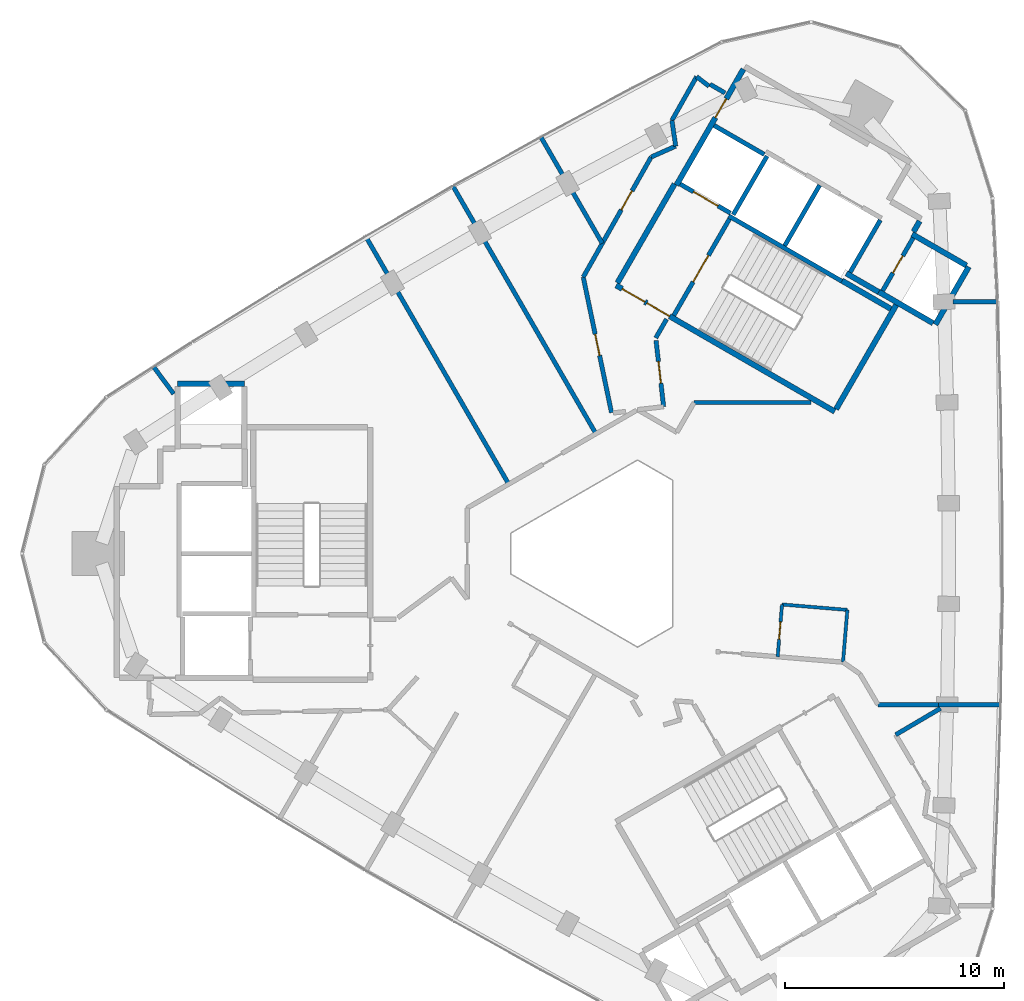
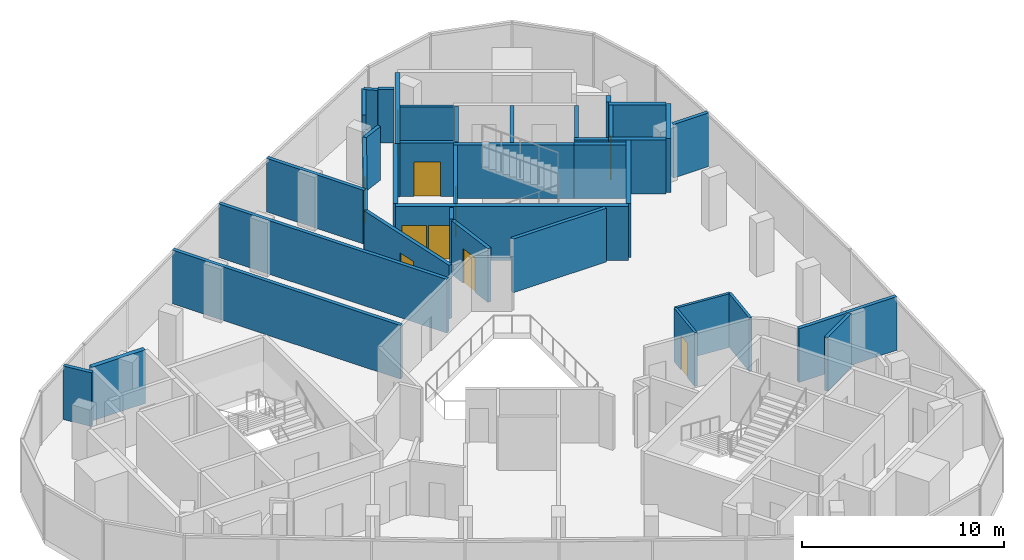
# One storey, part 8 of 10: 40 walls, 10 doors, 10 openings.
"""IFC4 building model written with IfcOpenShell, lengths in metres."""

from ifc_helpers import new_model, si_unit, direction, frame, frame_2d, origin, place, context, subcontext, project, spatial, rectangle, extrude, material, layer, layer_set, type_object, element, fill, save


model = new_model("IFC4")

# Units and contexts
model_context = context("Model", 3, precision=1e-05, world=origin(), true_north=direction((0.0, 1.0)))
body_context = subcontext(model_context, "Body", "Model", "MODEL_VIEW")
ifc_project = project(units=[si_unit("LENGTHUNIT", "METRE"), si_unit("AREAUNIT", "SQUARE_METRE"), si_unit("VOLUMEUNIT", "CUBIC_METRE"), si_unit("PLANEANGLEUNIT", "RADIAN"), si_unit("MASSUNIT", "GRAM", prefix="KILO")], contexts=[model_context])

# Site, building, storey
site_placement = place(None, origin())
site = spatial("IfcSite", under=ifc_project, at=site_placement, CompositionType="ELEMENT")
building_placement = place(site_placement, origin())
building = spatial("IfcBuilding", under=site, at=building_placement, Name="Tamra Quay Hotel Tower", CompositionType="ELEMENT")
storey_placement = place(building_placement, frame((0.0, 0.0, 276.60009765625)))
storey = spatial("IfcBuildingStorey", under=building, at=storey_placement, Name="L70", CompositionType="ELEMENT", Elevation=276.60009765625)

# Wall
ifc_material_1 = material(Name="Concrete M70", Category="concrete")
ifc_layer_1 = layer(ifc_material_1, 0.199951171875)
ifc_layer_set_1 = layer_set([ifc_layer_1], Name="Concrete M70 core wall 200")
wall_type_1 = type_object("IfcWallType", Name="Concrete M70 core wall 200", PredefinedType="SHEAR", material=ifc_layer_set_1)
wall_1_placement = place(storey_placement, frame((10.7431640625, 12.4599609375, 0.0), z_axis=(0.0, 0.0, 1.0), x_axis=(-0.866018848283, 0.500011354289, 0.0)))
element("IfcWall", 1, at=wall_1_placement, inside=storey, type_object=wall_type_1, Name="CW2", PredefinedType="SHEAR", context=body_context, shape_type="SweptSolid", body=[
    extrude(rectangle(XDim=5.973876953125, YDim=0.199951171875, at=frame_2d((2.98681640625, 0.0))), origin(), (0.0, 0.0, 1.0), 3.25),
])

# Wall, opening, door
wall_2_placement = place(storey_placement, frame((3.056640625, 10.89453125, 0.0), z_axis=(0.0, 0.0, 1.0), x_axis=(0.500027839223, 0.866009330205, 0.0)))
wall_2 = element("IfcWall", 2, at=wall_2_placement, inside=storey, type_object=wall_type_1, Name="CW2", PredefinedType="SHEAR", context=body_context, shape_type="SweptSolid", body=[
    extrude(rectangle(XDim=5.097900390625, YDim=0.199951171875, at=frame_2d((2.548828125, 0.0))), origin(), (0.0, 0.0, 1.0), 3.25),
])
opening_1_placement = place(wall_2_placement, frame((1.77392578125, 0.0, 0.0)))
opening_1 = element("IfcOpeningElement", 3, at=opening_1_placement, cuts=wall_2, Name="Opening FD2", PredefinedType="OPENING", context=body_context, shape_type="SweptSolid", body=[
    extrude(rectangle(XDim=1.39990234375, YDim=2.10009765625, at=frame_2d((0.699951171875, 1.050048828125))), frame((0.0, 0.10986328125, 0.0), z_axis=(0.0, -1.0, 0.0), x_axis=(1.0, 0.0, 0.0)), (0.0, 0.0, 1.0), 0.219970703125),
])
ifc_material_2 = material(Name="Core door FD2 1400x2100 RH")
door_type_1 = type_object("IfcDoorType", Name="Core door FD2 1400x2100 RH", OperationType="NOTDEFINED", PredefinedType="DOOR", material=ifc_material_2)
door_1_placement = place(opening_1_placement, origin())
door_1 = element("IfcDoor", 4, at=door_1_placement, inside=storey, type_object=door_type_1, Name="FD2", OperationType="SINGLE_SWING_RIGHT", OverallHeight=2.10009765625, OverallWidth=1.39990234375, PredefinedType="DOOR", context=body_context, shape_type="SweptSolid", body=[
    extrude(rectangle(XDim=1.39990234375, YDim=2.10009765625, at=frame_2d((0.699951171875, 1.050048828125))), frame((0.0, 0.02490234375, 0.0), z_axis=(0.0, -1.0, 0.0), x_axis=(1.0, 0.0, 0.0)), (0.0, 0.0, 1.0), 0.050048828125),
])
fill(opening_1, door_1)

# Wall
wall_3_placement = place(storey_placement, frame((8.131591796875, 14.08447265625, 0.0), z_axis=(0.0, 0.0, 1.0), x_axis=(0.500030834389, 0.86600760081, 0.0)))
element("IfcWall", 5, at=wall_3_placement, inside=storey, type_object=wall_type_1, Name="CW2", PredefinedType="SHEAR", context=body_context, shape_type="SweptSolid", body=[
    extrude(rectangle(XDim=3.197998046875, YDim=0.199951171875, at=frame_2d((1.59912109375, 0.0))), origin(), (0.0, 0.0, 1.0), 3.25),
])

# Wall, opening, door
wall_4_placement = place(storey_placement, frame((14.0078125, 14.442138671875, 0.0), z_axis=(0.0, 0.0, 1.0), x_axis=(-0.499986818241, -0.866033014143, 0.0)))
wall_4 = element("IfcWall", 6, at=wall_4_placement, inside=storey, type_object=wall_type_1, Name="CW2", PredefinedType="SHEAR", context=body_context, shape_type="SweptSolid", body=[
    extrude(rectangle(XDim=2.7978515625, YDim=0.199951171875, at=frame_2d((1.39892578125, 0.0))), origin(), (0.0, 0.0, 1.0), 3.25),
])
opening_2_placement = place(wall_4_placement, frame((0.948974609375, 0.0, 0.0)))
opening_2 = element("IfcOpeningElement", 7, at=opening_2_placement, cuts=wall_4, Name="Opening D1", PredefinedType="OPENING", context=body_context, shape_type="SweptSolid", body=[
    extrude(rectangle(XDim=0.89990234375, YDim=2.10009765625, at=frame_2d((0.449951171875, 1.050048828125))), frame((0.0, 0.10986328125, 0.0), z_axis=(0.0, -1.0, 0.0), x_axis=(1.0, 0.0, 0.0)), (0.0, 0.0, 1.0), 0.219970703125),
])
ifc_material_3 = material(Name="Core door D1 900x2100 LH")
door_type_2 = type_object("IfcDoorType", Name="Core door D1 900x2100 LH", OperationType="NOTDEFINED", PredefinedType="DOOR", material=ifc_material_3)
door_2_placement = place(opening_2_placement, origin())
door_2 = element("IfcDoor", 8, at=door_2_placement, inside=storey, type_object=door_type_2, Name="D1", OperationType="SINGLE_SWING_LEFT", OverallHeight=2.10009765625, OverallWidth=0.89990234375, PredefinedType="DOOR", context=body_context, shape_type="SweptSolid", body=[
    extrude(rectangle(XDim=0.89990234375, YDim=2.10009765625, at=frame_2d((0.449951171875, 1.050048828125))), frame((0.0, 0.02490234375, 0.0), z_axis=(0.0, -1.0, 0.0), x_axis=(1.0, 0.0, 0.0)), (0.0, 0.0, 1.0), 0.050048828125),
])
fill(opening_2, door_2)

# Walls
wall_5_placement = place(storey_placement, frame((12.50244140625, 15.2548828125, 0.0), z_axis=(0.0, 0.0, 1.0), x_axis=(-0.499965018551, -0.866045599391, 0.0)))
element("IfcWall", 9, at=wall_5_placement, inside=storey, type_object=wall_type_1, Name="CW2", PredefinedType="SHEAR", context=body_context, shape_type="SweptSolid", body=[
    extrude(rectangle(XDim=2.759033203125, YDim=0.199951171875, at=frame_2d((1.37939453125, 0.0))), origin(), (0.0, 0.0, 1.0), 3.25),
])
wall_6_placement = place(storey_placement, frame((7.324462890625, 18.1865234375, 0.0), z_axis=(0.0, 0.0, 1.0), x_axis=(-0.499967891604, -0.866043940782, 0.0)))
element("IfcWall", 10, at=wall_6_placement, inside=storey, type_object=wall_type_1, Name="CW2", PredefinedType="SHEAR", context=body_context, shape_type="SweptSolid", body=[
    extrude(rectangle(XDim=3.099853515625, YDim=0.199951171875, at=frame_2d((1.5498046875, 0.0))), origin(), (0.0, 0.0, 1.0), 3.25),
])

# Wall, opening, door
wall_7_placement = place(storey_placement, frame((5.646240234375, 15.575927734375, 0.0), z_axis=(0.0, 0.0, 1.0), x_axis=(-0.866018407898, 0.500012117035, 0.0)))
wall_7 = element("IfcWall", 11, at=wall_7_placement, inside=storey, type_object=wall_type_1, Name="CW2", PredefinedType="SHEAR", context=body_context, shape_type="SweptSolid", body=[
    extrude(rectangle(XDim=2.65087890625, YDim=0.199951171875, at=frame_2d((1.325439453125, 0.0))), origin(), (0.0, 0.0, 1.0), 3.25),
])
opening_3_placement = place(wall_7_placement, frame((0.65185546875, 0.0, 0.0)))
opening_3 = element("IfcOpeningElement", 12, at=opening_3_placement, cuts=wall_7, Name="Opening LD", PredefinedType="OPENING", context=body_context, shape_type="SweptSolid", body=[
    extrude(rectangle(XDim=1.300048828125, YDim=2.10009765625, at=frame_2d((0.64990234375, 1.050048828125))), frame((0.0, 0.10986328125, 0.0), z_axis=(0.0, -1.0, 0.0), x_axis=(1.0, 0.0, 0.0)), (0.0, 0.0, 1.0), 0.219970703125),
])
ifc_material_4 = material(Name="Landing door LD 1300 sliding to right")
door_type_3 = type_object("IfcDoorType", Name="Landing door LD 1300 sliding to right", OperationType="NOTDEFINED", PredefinedType="DOOR", material=ifc_material_4)
door_3_placement = place(opening_3_placement, origin())
door_3 = element("IfcDoor", 13, at=door_3_placement, inside=storey, type_object=door_type_3, Name="LD", OperationType="SLIDING_TO_RIGHT", OverallHeight=2.10009765625, OverallWidth=1.300048828125, PredefinedType="DOOR", context=body_context, shape_type="SweptSolid", body=[
    extrude(rectangle(XDim=1.300048828125, YDim=2.10009765625, at=frame_2d((0.64990234375, 1.050048828125))), frame((0.0, 0.02490234375, 0.0), z_axis=(0.0, -1.0, 0.0), x_axis=(1.0, 0.0, 0.0)), (0.0, 0.0, 1.0), 0.050048828125),
])
fill(opening_3, door_3)

# Walls
wall_8_placement = place(storey_placement, frame((7.1962890625, 18.260498046875, 0.0), z_axis=(0.0, 0.0, 1.0), x_axis=(-0.866018407898, 0.500012117035, 0.0)))
element("IfcWall", 14, at=wall_8_placement, inside=storey, type_object=wall_type_1, Name="CW2", PredefinedType="SHEAR", context=body_context, shape_type="SweptSolid", body=[
    extrude(rectangle(XDim=2.65087890625, YDim=0.199951171875, at=frame_2d((1.325439453125, 0.0))), origin(), (0.0, 0.0, 1.0), 3.25),
])
ifc_layer_2 = layer(ifc_material_1, 0.25)
ifc_layer_set_2 = layer_set([ifc_layer_2], Name="Concrete M70 core wall 250")
wall_type_2 = type_object("IfcWallType", Name="Concrete M70 core wall 250", PredefinedType="SHEAR", material=ifc_layer_set_2)
wall_9_placement = place(storey_placement, frame((-19.63720703125, 7.77490234375, 0.0), z_axis=(0.0, 0.0, 1.0), x_axis=(1.0, 0.0, 0.0)))
element("IfcWall", 15, at=wall_9_placement, inside=storey, type_object=wall_type_2, Name="CW1", PredefinedType="SHEAR", context=body_context, shape_type="SweptSolid", body=[
    extrude(rectangle(XDim=3.0498046875, YDim=0.25, at=frame_2d((1.52490234375, 0.0))), origin(), (0.0, 0.0, 1.0), 3.25),
])

# Wall, openings, doors
wall_10_placement = place(storey_placement, frame((10.419921875, 6.497802734375, 0.0), z_axis=(0.0, 0.0, 1.0), x_axis=(-0.866021906294, 0.500006057782, 0.0)))
wall_10 = element("IfcWall", 16, at=wall_10_placement, inside=storey, type_object=wall_type_2, Name="CW1", PredefinedType="SHEAR", context=body_context, shape_type="SweptSolid", body=[
    extrude(rectangle(XDim=11.550048828125, YDim=0.25, at=frame_2d((5.77490234375, 0.0))), origin(), (0.0, 0.0, 1.0), 3.25),
])
opening_4_placement = place(wall_10_placement, frame((10.02490234375, 0.0, 0.0)))
opening_4 = element("IfcOpeningElement", 17, at=opening_4_placement, cuts=wall_10, Name="Opening FD1", PredefinedType="OPENING", context=body_context, shape_type="SweptSolid", body=[
    extrude(rectangle(XDim=1.199951171875, YDim=2.10009765625, at=frame_2d((0.60009765625, 1.050048828125))), frame((0.0, 0.135009765625, 0.0), z_axis=(0.0, -1.0, 0.0), x_axis=(1.0, 0.0, 0.0)), (0.0, 0.0, 1.0), 0.27001953125),
])
opening_5_placement = place(wall_10_placement, frame((8.724853515625, 0.0, 0.0)))
opening_5 = element("IfcOpeningElement", 18, at=opening_5_placement, cuts=wall_10, Name="Opening FD1", PredefinedType="OPENING", context=body_context, shape_type="SweptSolid", body=[
    extrude(rectangle(XDim=1.199951171875, YDim=2.10009765625, at=frame_2d((0.60009765625, 1.050048828125))), frame((0.0, 0.135009765625, 0.0), z_axis=(0.0, -1.0, 0.0), x_axis=(1.0, 0.0, 0.0)), (0.0, 0.0, 1.0), 0.27001953125),
])
ifc_material_5 = material(Name="Core door FD1 1200x2100 LH")
door_type_4 = type_object("IfcDoorType", Name="Core door FD1 1200x2100 LH", OperationType="NOTDEFINED", PredefinedType="DOOR", material=ifc_material_5)
door_4_placement = place(opening_4_placement, origin())
door_4 = element("IfcDoor", 19, at=door_4_placement, inside=storey, type_object=door_type_4, Name="FD1", OperationType="SINGLE_SWING_LEFT", OverallHeight=2.10009765625, OverallWidth=1.199951171875, PredefinedType="DOOR", context=body_context, shape_type="SweptSolid", body=[
    extrude(rectangle(XDim=1.199951171875, YDim=2.10009765625, at=frame_2d((0.60009765625, 1.050048828125))), frame((0.0, 0.02490234375, 0.0), z_axis=(0.0, -1.0, 0.0), x_axis=(1.0, 0.0, 0.0)), (0.0, 0.0, 1.0), 0.050048828125),
])
fill(opening_4, door_4)
ifc_material_6 = material(Name="Core door FD1 1200x2100 RH")
door_type_5 = type_object("IfcDoorType", Name="Core door FD1 1200x2100 RH", OperationType="NOTDEFINED", PredefinedType="DOOR", material=ifc_material_6)
door_5_placement = place(opening_5_placement, origin())
door_5 = element("IfcDoor", 20, at=door_5_placement, inside=storey, type_object=door_type_5, Name="FD1", OperationType="SINGLE_SWING_RIGHT", OverallHeight=2.10009765625, OverallWidth=1.199951171875, PredefinedType="DOOR", context=body_context, shape_type="SweptSolid", body=[
    extrude(rectangle(XDim=1.199951171875, YDim=2.10009765625, at=frame_2d((0.60009765625, 1.050048828125))), frame((0.0, 0.02490234375, 0.0), z_axis=(0.0, -1.0, 0.0), x_axis=(1.0, 0.0, 0.0)), (0.0, 0.0, 1.0), 0.050048828125),
])
fill(opening_5, door_5)

# Wall, opening, door
wall_11_placement = place(storey_placement, frame((3.178955078125, 16.856201171875, 0.0), z_axis=(0.0, 0.0, 1.0), x_axis=(0.500001955336, 0.866024274868, 0.0)))
wall_11 = element("IfcWall", 21, at=wall_11_placement, inside=storey, type_object=wall_type_2, Name="CW1", PredefinedType="SHEAR", context=body_context, shape_type="SweptSolid", body=[
    extrude(rectangle(XDim=6.12451171875, YDim=0.25, at=frame_2d((3.062255859375, 0.0))), origin(), (0.0, 0.0, 1.0), 3.25),
])
opening_6_placement = place(wall_11_placement, frame((3.562744140625, 0.0, 0.0)))
opening_6 = element("IfcOpeningElement", 22, at=opening_6_placement, cuts=wall_11, Name="Opening FD3", PredefinedType="OPENING", context=body_context, shape_type="SweptSolid", body=[
    extrude(rectangle(XDim=1.0, YDim=2.10009765625, at=frame_2d((0.5, 1.050048828125))), frame((0.0, 0.135009765625, 0.0), z_axis=(0.0, -1.0, 0.0), x_axis=(1.0, 0.0, 0.0)), (0.0, 0.0, 1.0), 0.27001953125),
])
ifc_material_7 = material(Name="Core door FD3 1000x2100 LH")
door_type_6 = type_object("IfcDoorType", Name="Core door FD3 1000x2100 LH", OperationType="NOTDEFINED", PredefinedType="DOOR", material=ifc_material_7)
door_6_placement = place(opening_6_placement, origin())
door_6 = element("IfcDoor", 23, at=door_6_placement, inside=storey, type_object=door_type_6, Name="FD3", OperationType="SINGLE_SWING_LEFT", OverallHeight=2.10009765625, OverallWidth=1.0, PredefinedType="DOOR", context=body_context, shape_type="SweptSolid", body=[
    extrude(rectangle(XDim=1.0, YDim=2.10009765625, at=frame_2d((0.5, 1.050048828125))), frame((0.0, 0.02490234375, 0.0), z_axis=(0.0, -1.0, 0.0), x_axis=(1.0, 0.0, 0.0)), (0.0, 0.0, 1.0), 0.050048828125),
])
fill(opening_6, door_6)

# Walls
wall_12_placement = place(storey_placement, frame((0.47998046875, 12.38134765625, 0.0), z_axis=(0.0, 0.0, 1.0), x_axis=(0.49999885962, 0.866026062182, 0.0)))
element("IfcWall", 24, at=wall_12_placement, inside=storey, type_object=wall_type_2, Name="CW1", PredefinedType="SHEAR", context=body_context, shape_type="SweptSolid", body=[
    extrude(rectangle(XDim=5.224609375, YDim=0.25, at=frame_2d((2.6123046875, 0.0))), origin(), (0.0, 0.0, 1.0), 3.25),
])
wall_13_placement = place(storey_placement, frame((13.237548828125, 11.3779296875, 0.0), z_axis=(0.0, 0.0, 1.0), x_axis=(-0.500008851346, -0.866020293397, 0.0)))
element("IfcWall", 25, at=wall_13_placement, inside=storey, type_object=wall_type_2, Name="CW1", PredefinedType="SHEAR", context=body_context, shape_type="SweptSolid", body=[
    extrude(rectangle(XDim=5.509765625, YDim=0.25, at=frame_2d((2.7548828125, 0.0))), origin(), (0.0, 0.0, 1.0), 3.25),
])
wall_14_placement = place(storey_placement, frame((16.552001953125, 13.118896484375, 0.0), z_axis=(0.0, 0.0, 1.0), x_axis=(-0.499978833458, -0.866037623948, 0.0)))
element("IfcWall", 26, at=wall_14_placement, inside=storey, type_object=wall_type_2, Name="CW1", PredefinedType="SHEAR", context=body_context, shape_type="SweptSolid", body=[
    extrude(rectangle(XDim=3.050048828125, YDim=0.25, at=frame_2d((1.52490234375, 0.0))), origin(), (0.0, 0.0, 1.0), 3.25),
])
wall_15_placement = place(storey_placement, frame((14.91845703125, 10.540283203125, 0.0), z_axis=(0.0, 0.0, 1.0), x_axis=(-0.866063538972, 0.499933942099, 0.0)))
element("IfcWall", 27, at=wall_15_placement, inside=storey, type_object=wall_type_2, Name="CW1", PredefinedType="SHEAR", context=body_context, shape_type="SweptSolid", body=[
    extrude(rectangle(XDim=2.86474609375, YDim=0.25, at=frame_2d((1.432373046875, 0.0))), origin(), (0.0, 0.0, 1.0), 3.25),
])
wall_16_placement = place(storey_placement, frame((13.962646484375, 14.61376953125, 0.0), z_axis=(0.0, 0.0, 1.0), x_axis=(0.866042235819, -0.499970844928, 0.0)))
element("IfcWall", 28, at=wall_16_placement, inside=storey, type_object=wall_type_2, Name="CW1", PredefinedType="SHEAR", context=body_context, shape_type="SweptSolid", body=[
    extrude(rectangle(XDim=2.864501953125, YDim=0.25, at=frame_2d((1.43212890625, 0.0))), origin(), (0.0, 0.0, 1.0), 3.25),
])
wall_17_placement = place(storey_placement, frame((10.756591796875, 12.481201171875, 0.0), z_axis=(0.0, 0.0, 1.0), x_axis=(0.866022940537, -0.500004266446, 0.0)))
element("IfcWall", 29, at=wall_17_placement, inside=storey, type_object=wall_type_2, Name="CW1", PredefinedType="SHEAR", context=body_context, shape_type="SweptSolid", body=[
    extrude(rectangle(XDim=2.57470703125, YDim=0.25, at=frame_2d((1.287353515625, 0.0))), origin(), (0.0, 0.0, 1.0), 3.25),
])
wall_18_placement = place(storey_placement, frame((12.4326171875, 11.9638671875, 0.0), z_axis=(0.0, 0.0, 1.0), x_axis=(-0.866038183914, 0.499977863513, 0.0)))
element("IfcWall", 30, at=wall_18_placement, inside=storey, type_object=wall_type_2, Name="CW1", PredefinedType="SHEAR", context=body_context, shape_type="SweptSolid", body=[
    extrude(rectangle(XDim=1.7099609375, YDim=0.25, at=frame_2d((0.85498046875, 0.0))), origin(), (0.0, 0.0, 1.0), 3.25),
])
wall_19_placement = place(storey_placement, frame((14.304931640625, 15.206787109375, 0.0), z_axis=(0.0, 0.0, 1.0), x_axis=(-0.499848422343, -0.866112899501, 0.0)))
element("IfcWall", 31, at=wall_19_placement, inside=storey, type_object=wall_type_2, Name="CW1", PredefinedType="SHEAR", context=body_context, shape_type="SweptSolid", body=[
    extrude(rectangle(XDim=0.559326171875, YDim=0.25, at=frame_2d((0.27978515625, 0.0))), origin(), (0.0, 0.0, 1.0), 3.25),
])

# Wall, opening, door
ifc_material_8 = material(Name="Partition corridor wall")
ifc_layer_3 = layer(ifc_material_8, 0.199951171875)
ifc_layer_set_3 = layer_set([ifc_layer_3], Name="Partition corridor wall")
wall_type_3 = type_object("IfcWallType", Name="Partition corridor wall", PredefinedType="PARTITIONING", material=ifc_layer_set_3)
wall_20_placement = place(storey_placement, frame((-1.085693359375, 12.650390625, 0.0), z_axis=(0.0, 0.0, 1.0), x_axis=(0.492563383526, 0.870276572826, 0.0)))
wall_20 = element("IfcWall", 32, at=wall_20_placement, inside=storey, type_object=wall_type_3, Name="W-C", PredefinedType="PARTITIONING", context=body_context, shape_type="SweptSolid", body=[
    extrude(rectangle(XDim=6.30908203125, YDim=0.199951171875, at=frame_2d((3.154541015625, 0.0))), origin(), (0.0, 0.0, 1.0), 3.25),
])
opening_7_placement = place(wall_20_placement, frame((3.533203125, 0.0, 0.0)))
opening_7 = element("IfcOpeningElement", 33, at=opening_7_placement, cuts=wall_20, Name="Opening L70-D005", PredefinedType="OPENING", context=body_context, shape_type="SweptSolid", body=[
    extrude(rectangle(XDim=1.0, YDim=2.10009765625, at=frame_2d((0.5, 1.050048828125))), frame((0.0, 0.10986328125, 0.0), z_axis=(0.0, -1.0, 0.0), x_axis=(1.0, 0.0, 0.0)), (0.0, 0.0, 1.0), 0.219970703125),
])
ifc_material_9 = material(Name="Door guest room 1000x2100")
door_type_7 = type_object("IfcDoorType", Name="Door guest room 1000x2100", OperationType="NOTDEFINED", PredefinedType="DOOR", material=ifc_material_9)
door_7_placement = place(opening_7_placement, frame((1.0, 0.0, 0.0), z_axis=(0.0, 0.0, 1.0), x_axis=(-1.0, 0.0, 0.0)))
door_7 = element("IfcDoor", 34, at=door_7_placement, inside=storey, type_object=door_type_7, Name="L70-D005", OperationType="SINGLE_SWING_LEFT", OverallHeight=2.10009765625, OverallWidth=1.0, PredefinedType="DOOR", context=body_context, shape_type="SweptSolid", body=[
    extrude(rectangle(XDim=1.0, YDim=2.10009765625, at=frame_2d((0.5, 1.050048828125))), frame((0.0, 0.02490234375, 0.0), z_axis=(0.0, -1.0, 0.0), x_axis=(1.0, 0.0, 0.0)), (0.0, 0.0, 1.0), 0.050048828125),
])
fill(opening_7, door_7)

wall_21_placement = place(storey_placement, frame((-1.0849609375, 12.64990234375, 0.0), z_axis=(0.0, 0.0, 1.0), x_axis=(0.203998862084, -0.97897112535, 0.0)))
wall_21 = element("IfcWall", 35, at=wall_21_placement, inside=storey, type_object=wall_type_3, Name="W-C", PredefinedType="PARTITIONING", context=body_context, shape_type="SweptSolid", body=[
    extrude(rectangle(XDim=6.338134765625, YDim=0.199951171875, at=frame_2d((3.1689453125, 0.0))), origin(), (0.0, 0.0, 1.0), 3.25),
])
opening_8_placement = place(wall_21_placement, frame((2.669189453125, 0.0, 0.0)))
opening_8 = element("IfcOpeningElement", 36, at=opening_8_placement, cuts=wall_21, Name="Opening L70-D006", PredefinedType="OPENING", context=body_context, shape_type="SweptSolid", body=[
    extrude(rectangle(XDim=1.0, YDim=2.10009765625, at=frame_2d((0.5, 1.050048828125))), frame((0.0, 0.10986328125, 0.0), z_axis=(0.0, -1.0, 0.0), x_axis=(1.0, 0.0, 0.0)), (0.0, 0.0, 1.0), 0.219970703125),
])
door_8_placement = place(opening_8_placement, frame((1.0, 0.0, 0.0), z_axis=(0.0, 0.0, 1.0), x_axis=(-1.0, 0.0, 0.0)))
door_8 = element("IfcDoor", 37, at=door_8_placement, inside=storey, type_object=door_type_7, Name="L70-D006", OperationType="SINGLE_SWING_LEFT", OverallHeight=2.10009765625, OverallWidth=1.0, PredefinedType="DOOR", context=body_context, shape_type="SweptSolid", body=[
    extrude(rectangle(XDim=1.0, YDim=2.10009765625, at=frame_2d((0.5, 1.050048828125))), frame((0.0, 0.02490234375, 0.0), z_axis=(0.0, -1.0, 0.0), x_axis=(1.0, 0.0, 0.0)), (0.0, 0.0, 1.0), 0.050048828125),
])
fill(opening_8, door_8)

# Wall
wall_22_placement = place(storey_placement, frame((2.02197265625, 18.14111328125, 0.0), z_axis=(0.0, 0.0, 1.0), x_axis=(0.914212683456, 0.405234709036, 0.0)))
element("IfcWall", 38, at=wall_22_placement, inside=storey, type_object=wall_type_3, Name="W-C", PredefinedType="PARTITIONING", context=body_context, shape_type="SweptSolid", body=[
    extrude(rectangle(XDim=1.228515625, YDim=0.199951171875, at=frame_2d((0.6142578125, 0.0))), origin(), (0.0, 0.0, 1.0), 3.25),
])

# Wall, opening, door
wall_23_placement = place(storey_placement, frame((2.592041015625, 6.718994140625, 0.0), z_axis=(0.0, 0.0, 1.0), x_axis=(-0.114027951455, 0.993477541914, 0.0)))
wall_23 = element("IfcWall", 39, at=wall_23_placement, inside=storey, type_object=wall_type_3, Name="W-C", PredefinedType="PARTITIONING", context=body_context, shape_type="SweptSolid", body=[
    extrude(rectangle(XDim=3.046630859375, YDim=0.199951171875, at=frame_2d((1.5234375, 0.0))), origin(), (0.0, 0.0, 1.0), 3.25),
])
opening_9_placement = place(wall_23_placement, frame((1.082763671875, 0.0, 0.0)))
opening_9 = element("IfcOpeningElement", 40, at=opening_9_placement, cuts=wall_23, Name="Opening L70-D004", PredefinedType="OPENING", context=body_context, shape_type="SweptSolid", body=[
    extrude(rectangle(XDim=1.0, YDim=2.10009765625, at=frame_2d((0.5, 1.050048828125))), frame((0.0, 0.10986328125, 0.0), z_axis=(0.0, -1.0, 0.0), x_axis=(1.0, 0.0, 0.0)), (0.0, 0.0, 1.0), 0.219970703125),
])
door_9_placement = place(opening_9_placement, origin())
door_9 = element("IfcDoor", 41, at=door_9_placement, inside=storey, type_object=door_type_7, Name="L70-D004", OperationType="SINGLE_SWING_LEFT", OverallHeight=2.10009765625, OverallWidth=1.0, PredefinedType="DOOR", context=body_context, shape_type="SweptSolid", body=[
    extrude(rectangle(XDim=1.0, YDim=2.10009765625, at=frame_2d((0.5, 1.050048828125))), frame((0.0, 0.02490234375, 0.0), z_axis=(0.0, -1.0, 0.0), x_axis=(1.0, 0.0, 0.0)), (0.0, 0.0, 1.0), 0.050048828125),
])
fill(opening_9, door_9)

# Walls
wall_24_placement = place(storey_placement, frame((2.23095703125, 9.864013671875, 0.0), z_axis=(0.0, 0.0, 1.0), x_axis=(0.499942098031, 0.866058830921, 0.0)))
element("IfcWall", 42, at=wall_24_placement, inside=storey, type_object=wall_type_3, Name="W-C", PredefinedType="PARTITIONING", context=body_context, shape_type="SweptSolid", body=[
    extrude(rectangle(XDim=0.994140625, YDim=0.199951171875, at=frame_2d((0.4970703125, 0.0))), origin(), (0.0, 0.0, 1.0), 3.25),
])
wall_25_placement = place(storey_placement, frame((2.970703125, 19.817138671875, 0.0), z_axis=(0.0, 0.0, 1.0), x_axis=(0.492596700535, 0.870257715061, 0.0)))
element("IfcWall", 43, at=wall_25_placement, inside=storey, type_object=wall_type_3, Name="W-C", PredefinedType="PARTITIONING", context=body_context, shape_type="SweptSolid", body=[
    extrude(rectangle(XDim=2.296142578125, YDim=0.199951171875, at=frame_2d((1.14794921875, 0.0))), origin(), (0.0, 0.0, 1.0), 3.25),
])
wall_26_placement = place(storey_placement, frame((2.970947265625, 19.81689453125, 0.0), z_axis=(0.0, 0.0, 1.0), x_axis=(0.146184555477, -0.989257335449, 0.0)))
element("IfcWall", 44, at=wall_26_placement, inside=storey, type_object=wall_type_3, Name="W-C", PredefinedType="PARTITIONING", context=body_context, shape_type="SweptSolid", body=[
    extrude(rectangle(XDim=1.190673828125, YDim=0.199951171875, at=frame_2d((0.59521484375, 0.0))), origin(), (0.0, 0.0, 1.0), 2.349853515625),
])
wall_27_placement = place(storey_placement, frame((4.10205078125, 21.81591796875, 0.0), z_axis=(0.0, 0.0, 1.0), x_axis=(0.793783006464, -0.608201067615, 0.0)))
element("IfcWall", 45, at=wall_27_placement, inside=storey, type_object=wall_type_3, Name="W-C", PredefinedType="PARTITIONING", context=body_context, shape_type="SweptSolid", body=[
    extrude(rectangle(XDim=0.711669921875, YDim=0.199951171875, at=frame_2d((0.35595703125, 0.0))), origin(), (0.0, 0.0, 1.0), 3.25),
])
wall_28_placement = place(storey_placement, frame((4.716064453125, 21.468017578125, 0.0), z_axis=(0.0, 0.0, 1.0), x_axis=(0.865912682783, -0.500195187698, 0.0)))
element("IfcWall", 46, at=wall_28_placement, inside=storey, type_object=wall_type_3, Name="W-C", PredefinedType="PARTITIONING", context=body_context, shape_type="SweptSolid", body=[
    extrude(rectangle(XDim=0.789794921875, YDim=0.199951171875, at=frame_2d((0.39501953125, 0.0))), origin(), (0.0, 0.0, 1.0), 3.25),
])
wall_29_placement = place(storey_placement, frame((12.39794921875, -6.909912109375, 0.0), z_axis=(0.0, 0.0, 1.0), x_axis=(1.0, 0.0, 0.0)))
element("IfcWall", 47, at=wall_29_placement, inside=storey, type_object=wall_type_3, Name="W-C", PredefinedType="PARTITIONING", context=body_context, shape_type="SweptSolid", body=[
    extrude(rectangle(XDim=2.761962890625, YDim=0.199951171875, at=frame_2d((1.380859375, 0.0))), origin(), (0.0, 0.0, 1.0), 3.25),
])
wall_30_placement = place(storey_placement, frame((13.2099609375, -8.2890625, 0.0), z_axis=(0.0, 0.0, 1.0), x_axis=(0.861654599216, 0.507495174017, 0.0)))
element("IfcWall", 48, at=wall_30_placement, inside=storey, type_object=wall_type_3, Name="W-C", PredefinedType="PARTITIONING", context=body_context, shape_type="SweptSolid", body=[
    extrude(rectangle(XDim=2.38037109375, YDim=0.199951171875, at=frame_2d((1.190185546875, 0.0))), origin(), (0.0, 0.0, 1.0), 3.25),
])

# Wall, opening, door
ifc_material_10 = material(Name="Partition en-suite wall")
ifc_layer_4 = layer(ifc_material_10, 0.14990234375)
ifc_layer_set_4 = layer_set([ifc_layer_4], Name="Partition en-suite wall")
wall_type_4 = type_object("IfcWallType", Name="Partition en-suite wall", PredefinedType="PARTITIONING", material=ifc_layer_set_4)
wall_31_placement = place(storey_placement, frame((7.80908203125, -4.720947265625, 0.0), z_axis=(0.0, 0.0, 1.0), x_axis=(0.08303704791, 0.996546460871, 0.0)))
wall_31 = element("IfcWall", 49, at=wall_31_placement, inside=storey, type_object=wall_type_4, Name="W-E", PredefinedType="PARTITIONING", context=body_context, shape_type="SweptSolid", body=[
    extrude(rectangle(XDim=2.396240234375, YDim=0.14990234375, at=frame_2d((1.1982421875, 0.0))), origin(), (0.0, 0.0, 1.0), 3.25),
])
opening_10_placement = place(wall_31_placement, frame((0.799560546875, 0.0, 0.0)))
opening_10 = element("IfcOpeningElement", 50, at=opening_10_placement, cuts=wall_31, Name="Opening L70-D003", PredefinedType="OPENING", context=body_context, shape_type="SweptSolid", body=[
    extrude(rectangle(XDim=0.800048828125, YDim=2.10009765625, at=frame_2d((0.39990234375, 1.050048828125))), frame((0.0, 0.0849609375, 0.0), z_axis=(0.0, -1.0, 0.0), x_axis=(1.0, 0.0, 0.0)), (0.0, 0.0, 1.0), 0.169921875),
])
ifc_material_11 = material(Name="Door en-suite 800x2100")
door_type_8 = type_object("IfcDoorType", Name="Door en-suite 800x2100", OperationType="NOTDEFINED", PredefinedType="DOOR", material=ifc_material_11)
door_10_placement = place(opening_10_placement, frame((0.800048828125, 0.0, 0.0), z_axis=(0.0, 0.0, 1.0), x_axis=(-1.0, 0.0, 0.0)))
door_10 = element("IfcDoor", 51, at=door_10_placement, inside=storey, type_object=door_type_8, Name="L70-D003", OperationType="SINGLE_SWING_LEFT", OverallHeight=2.10009765625, OverallWidth=0.800048828125, PredefinedType="DOOR", context=body_context, shape_type="SweptSolid", body=[
    extrude(rectangle(XDim=0.800048828125, YDim=2.10009765625, at=frame_2d((0.39990234375, 1.050048828125))), frame((0.0, 0.02490234375, 0.0), z_axis=(0.0, -1.0, 0.0), x_axis=(1.0, 0.0, 0.0)), (0.0, 0.0, 1.0), 0.050048828125),
])
fill(opening_10, door_10)

# Walls
wall_32_placement = place(storey_placement, frame((8.010009765625, -2.330078125, 0.0), z_axis=(0.0, 0.0, 1.0), x_axis=(0.996572126957, -0.082728445969, 0.0)))
element("IfcWall", 52, at=wall_32_placement, inside=storey, type_object=wall_type_4, Name="W-E", PredefinedType="PARTITIONING", context=body_context, shape_type="SweptSolid", body=[
    extrude(rectangle(XDim=2.995361328125, YDim=0.14990234375, at=frame_2d((1.49755859375, 0.0))), origin(), (0.0, 0.0, 1.0), 3.25),
])
wall_33_placement = place(storey_placement, frame((10.799072265625, -4.969970703125, 0.0), z_axis=(0.0, 0.0, 1.0), x_axis=(0.08296965374, 0.996552074183, 0.0)))
element("IfcWall", 53, at=wall_33_placement, inside=storey, type_object=wall_type_4, Name="W-E", PredefinedType="PARTITIONING", context=body_context, shape_type="SweptSolid", body=[
    extrude(rectangle(XDim=2.398193359375, YDim=0.14990234375, at=frame_2d((1.19921875, 0.0))), origin(), (0.0, 0.0, 1.0), 3.25),
])
ifc_material_12 = material(Name="Partition party wall")
ifc_layer_5 = layer(ifc_material_12, 0.199951171875)
ifc_layer_set_5 = layer_set([ifc_layer_5], Name="Partition party wall")
wall_type_5 = type_object("IfcWallType", Name="Partition party wall", PredefinedType="PARTITIONING", material=ifc_layer_set_5)
wall_34_placement = place(storey_placement, frame((-20.737548828125, 8.5390625, 0.0), z_axis=(0.0, 0.0, 1.0), x_axis=(0.595694844153, -0.803210839475, 0.0)))
element("IfcWall", 54, at=wall_34_placement, inside=storey, type_object=wall_type_5, Name="W-P", PredefinedType="PARTITIONING", context=body_context, shape_type="SweptSolid", body=[
    extrude(rectangle(XDim=1.536376953125, YDim=0.199951171875, at=frame_2d((0.76806640625, 0.0))), origin(), (0.0, 0.0, 1.0), 3.25),
])
wall_35_placement = place(storey_placement, frame((-11.03466796875, 14.505126953125, 0.0), z_axis=(0.0, 0.0, 1.0), x_axis=(0.499989597041, -0.866031409852, 0.0)))
element("IfcWall", 55, at=wall_35_placement, inside=storey, type_object=wall_type_5, Name="W-P", PredefinedType="PARTITIONING", context=body_context, shape_type="SweptSolid", body=[
    extrude(rectangle(XDim=13.079345703125, YDim=0.199951171875, at=frame_2d((6.53955078125, 0.0))), origin(), (0.0, 0.0, 1.0), 3.25),
])
wall_36_placement = place(storey_placement, frame((-7.04443359375, 16.808837890625, 0.0), z_axis=(0.0, 0.0, 1.0), x_axis=(0.499997679687, -0.866026743414, 0.0)))
element("IfcWall", 56, at=wall_36_placement, inside=storey, type_object=wall_type_5, Name="W-P", PredefinedType="PARTITIONING", context=body_context, shape_type="SweptSolid", body=[
    extrude(rectangle(XDim=13.0791015625, YDim=0.199951171875, at=frame_2d((6.53955078125, 0.0))), origin(), (0.0, 0.0, 1.0), 3.25),
])
wall_37_placement = place(storey_placement, frame((-3.01953125, 19.0498046875, 0.0), z_axis=(0.0, 0.0, 1.0), x_axis=(0.499943402613, -0.866058077835, 0.0)))
element("IfcWall", 57, at=wall_37_placement, inside=storey, type_object=wall_type_5, Name="W-P", PredefinedType="PARTITIONING", context=body_context, shape_type="SweptSolid", body=[
    extrude(rectangle(XDim=5.611572265625, YDim=0.199951171875, at=frame_2d((2.8056640625, 0.0))), origin(), (0.0, 0.0, 1.0), 3.25),
])
wall_38_placement = place(storey_placement, frame((3.989990234375, 6.909912109375, 0.0), z_axis=(0.0, 0.0, 1.0), x_axis=(1.0, 0.0, 0.0)))
element("IfcWall", 58, at=wall_38_placement, inside=storey, type_object=wall_type_5, Name="W-P", PredefinedType="PARTITIONING", context=body_context, shape_type="SweptSolid", body=[
    extrude(rectangle(XDim=5.34619140625, YDim=0.199951171875, at=frame_2d((2.673095703125, 0.0))), origin(), (0.0, 0.0, 1.0), 3.25),
])
wall_39_placement = place(storey_placement, frame((15.160888671875, -6.909912109375, 0.0), z_axis=(0.0, 0.0, 1.0), x_axis=(1.0, 0.0, 0.0)))
element("IfcWall", 59, at=wall_39_placement, inside=storey, type_object=wall_type_5, Name="W-P", PredefinedType="PARTITIONING", context=body_context, shape_type="SweptSolid", body=[
    extrude(rectangle(XDim=2.846435546875, YDim=0.199951171875, at=frame_2d((1.42333984375, 0.0))), origin(), (0.0, 0.0, 1.0), 3.25),
])
wall_40_placement = place(storey_placement, frame((15.839599609375, 11.514892578125, 0.0), z_axis=(0.0, 0.0, 1.0), x_axis=(1.0, 0.0, 0.0)))
element("IfcWall", 60, at=wall_40_placement, inside=storey, type_object=wall_type_5, Name="W-P", PredefinedType="PARTITIONING", context=body_context, shape_type="SweptSolid", body=[
    extrude(rectangle(XDim=2.024658203125, YDim=0.199951171875, at=frame_2d((1.01220703125, 0.0))), origin(), (0.0, 0.0, 1.0), 3.25),
])

save(model, "model.ifc")
